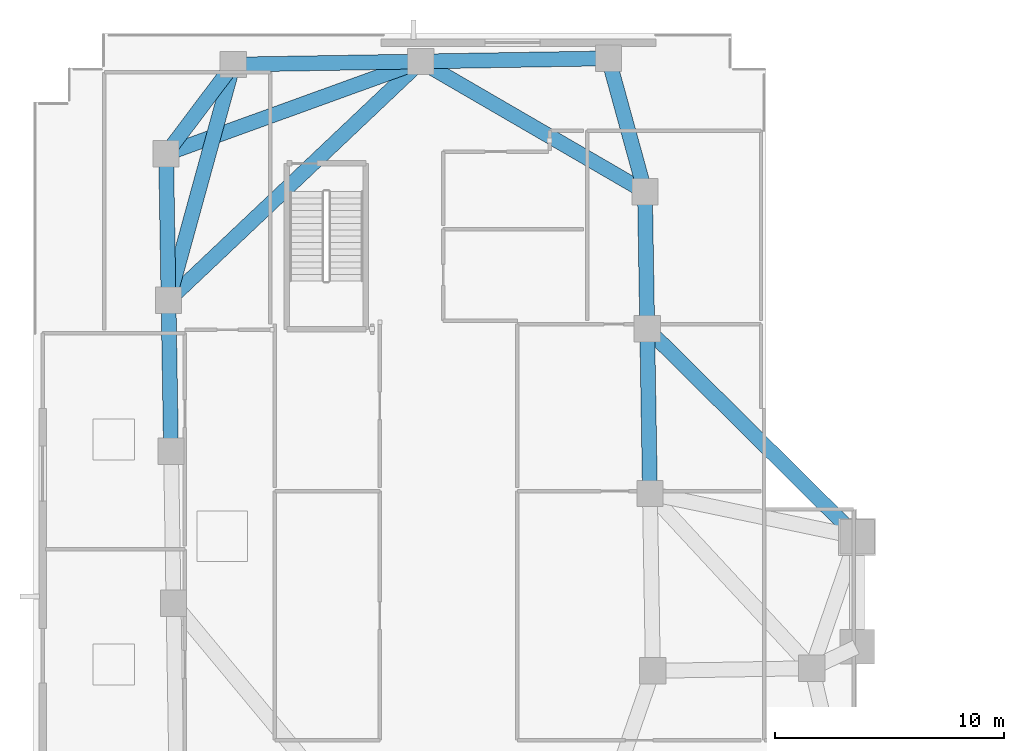
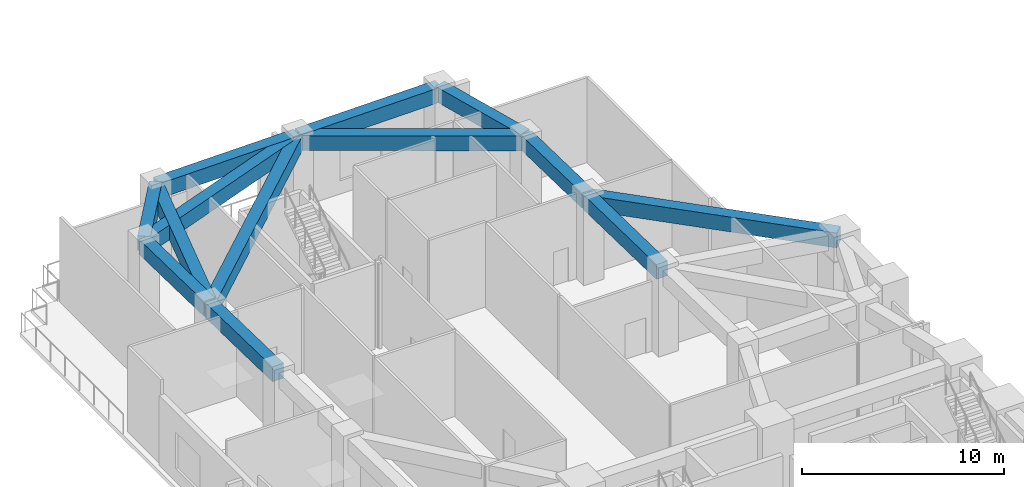
# One storey, part 3 of 18: 13 beams.
"""IFC4 building model written with IfcOpenShell, lengths in metres."""

from ifc_helpers import new_model, si_unit, direction, frame, origin, origin_2d, place, context, subcontext, project, spatial, rectangle, extrude, material, material_profile, profile_set, type_object, element, save


model = new_model("IFC4")

# Units and contexts
model_context = context("Model", 3, precision=1e-05, world=origin(), true_north=direction((0.0, 1.0)))
body_context = subcontext(model_context, "Body", "Model", "MODEL_VIEW")
ifc_project = project(units=[si_unit("LENGTHUNIT", "METRE"), si_unit("AREAUNIT", "SQUARE_METRE"), si_unit("VOLUMEUNIT", "CUBIC_METRE"), si_unit("PLANEANGLEUNIT", "RADIAN"), si_unit("MASSUNIT", "GRAM", prefix="KILO")], contexts=[model_context])

# Site, building, storey
site_placement = place(None, origin())
site = spatial("IfcSite", under=ifc_project, at=site_placement, CompositionType="ELEMENT")
building_placement = place(site_placement, origin())
building = spatial("IfcBuilding", under=site, at=building_placement, Name="Gaonmaruhae Medical Tower", CompositionType="ELEMENT")
storey_placement = place(building_placement, frame((0.0, 0.0, 10.800048828125)))
storey = spatial("IfcBuildingStorey", under=building, at=storey_placement, Name="L02", CompositionType="ELEMENT", Elevation=10.800048828125)

# Beams
ifc_material = material(Name="Concrete C50/60", Category="concrete")
ifc_material_profile = material_profile(ifc_material, rectangle(XDim=0.64990234375, YDim=0.89990234375, at=origin_2d()), Name="RCG-650x900")
ifc_profile_set = profile_set([ifc_material_profile], Name="Concrete C50/60")
beam_type = type_object("IfcBeamType", Name="RG-01 Podium Primary RC Girder (RCG-650x900)", PredefinedType="BEAM", material=ifc_profile_set)
beam_1_placement = place(storey_placement, frame((26.944091796875, 31.140380859375, 4.699951171875), z_axis=(-0.016608204893, 0.999862074253, 0.0), x_axis=(-0.999862074253, -0.016608204893, 0.0)))
element("IfcBeam", 1, at=beam_1_placement, inside=storey, type_object=beam_type, Name="L02 Beam BM-L02-PG035", PredefinedType="BEAM", context=body_context, shape_type="SweptSolid", body=[
    extrude(rectangle(XDim=0.64990234375, YDim=0.89990234375, at=origin_2d()), origin(), (0.0, 0.0, 1.0), 7.10009765625),
])
beam_2_placement = place(storey_placement, frame((26.824462890625, 38.339599609375, 4.699951171875), z_axis=(-0.016551967997, 0.999863006794, 0.0), x_axis=(-0.999863006794, -0.016551967997, 0.0)))
element("IfcBeam", 2, at=beam_2_placement, inside=storey, type_object=beam_type, Name="L02 Beam BM-L02-PG037", PredefinedType="BEAM", context=body_context, shape_type="SweptSolid", body=[
    extrude(rectangle(XDim=0.64990234375, YDim=0.89990234375, at=origin_2d()), origin(), (0.0, 0.0, 1.0), 5.89990234375),
])
beam_3_placement = place(storey_placement, frame((26.86083984375, 38.25439453125, 4.699951171875), z_axis=(0.710394933366, -0.703803267005, 0.0), x_axis=(0.703803267005, 0.710394933366, 0.0)))
element("IfcBeam", 3, at=beam_3_placement, inside=storey, type_object=beam_type, Name="L02 Beam BM-L02-PG038", PredefinedType="BEAM", context=body_context, shape_type="SweptSolid", body=[
    extrude(rectangle(XDim=0.64990234375, YDim=0.89990234375, at=origin_2d()), origin(), (0.0, 0.0, 1.0), 12.815185546875),
])
beam_4_placement = place(storey_placement, frame((26.712646484375, 44.3369140625, 4.699951171875), z_axis=(-0.264400662099, 0.964412924987, 0.0), x_axis=(-0.964412924987, -0.264400662099, 0.0)))
element("IfcBeam", 4, at=beam_4_placement, inside=storey, type_object=beam_type, Name="L02 Beam BM-L02-PG039", PredefinedType="BEAM", context=body_context, shape_type="SweptSolid", body=[
    extrude(rectangle(XDim=0.64990234375, YDim=0.89990234375, at=origin_2d()), origin(), (0.0, 0.0, 1.0), 5.939208984375),
])
beam_5_placement = place(storey_placement, frame((26.6826171875, 44.313720703125, 4.699951171875), z_axis=(-0.864761531189, 0.502182729865, 0.0), x_axis=(-0.502182729865, -0.864761531189, 0.0)))
element("IfcBeam", 5, at=beam_5_placement, inside=storey, type_object=beam_type, Name="L02 Beam BM-L02-PG040", PredefinedType="BEAM", context=body_context, shape_type="SweptSolid", body=[
    extrude(rectangle(XDim=0.64990234375, YDim=0.89990234375, at=origin_2d()), origin(), (0.0, 0.0, 1.0), 11.227294921875),
])
for number, where, z_axis, x_axis, name in (
    (6, (25.0791015625, 50.112060546875, 4.699951171875), (-0.999863083435, -0.016547337678, 0.0), (0.016547337678, -0.999863083435, 0.0), "L02 Beam BM-L02-PG041"),
    (7, (16.88037109375, 49.976318359375, 4.699951171875), (-0.999862584298, -0.016577470273, 0.0), (0.016577470273, -0.999862584298, 0.0), "L02 Beam BM-L02-PG042"),
):
    element("IfcBeam", number, at=place(storey_placement, frame(where, z_axis=z_axis, x_axis=x_axis)), inside=storey, type_object=beam_type, Name=name, PredefinedType="BEAM", context=body_context, shape_type="SweptSolid", body=[
        extrude(rectangle(XDim=0.64990234375, YDim=0.89990234375, at=origin_2d()), origin(), (0.0, 0.0, 1.0), 8.10009765625),
    ])
beam_6_placement = place(storey_placement, frame((16.88330078125, 49.9599609375, 4.699951171875), z_axis=(-0.940171612952, -0.340701244788, 0.0), x_axis=(0.340701244788, -0.940171612952, 0.0)))
element("IfcBeam", 8, at=beam_6_placement, inside=storey, type_object=beam_type, Name="L02 Beam BM-L02-PG043", PredefinedType="BEAM", context=body_context, shape_type="SweptSolid", body=[
    extrude(rectangle(XDim=0.64990234375, YDim=0.89990234375, at=origin_2d()), origin(), (0.0, 0.0, 1.0), 11.743408203125),
])
beam_7_placement = place(storey_placement, frame((8.701416015625, 49.80126953125, 4.699951171875), z_axis=(-0.601502313354, -0.798871057824, 0.0), x_axis=(0.798871057824, -0.601502313354, 0.0)))
element("IfcBeam", 9, at=beam_7_placement, inside=storey, type_object=beam_type, Name="L02 Beam BM-L02-PG044", PredefinedType="BEAM", context=body_context, shape_type="SweptSolid", body=[
    extrude(rectangle(XDim=0.64990234375, YDim=0.89990234375, at=origin_2d()), origin(), (0.0, 0.0, 1.0), 4.781005859375),
])
beam_8_placement = place(storey_placement, frame((8.71826171875, 49.79296875, 4.699951171875), z_axis=(-0.264954280581, -0.964260975671, 0.0), x_axis=(0.964260975671, -0.264954280581, 0.0)))
element("IfcBeam", 10, at=beam_8_placement, inside=storey, type_object=beam_type, Name="L02 Beam BM-L02-PG045", PredefinedType="BEAM", context=body_context, shape_type="SweptSolid", body=[
    extrude(rectangle(XDim=0.64990234375, YDim=0.89990234375, at=origin_2d()), origin(), (0.0, 0.0, 1.0), 10.580078125),
])
beam_9_placement = place(storey_placement, frame((5.79638671875, 45.891845703125, 4.699951171875), z_axis=(0.016586222393, -0.999862439152, 0.0), x_axis=(0.999862439152, 0.016586222393, 0.0)))
element("IfcBeam", 11, at=beam_9_placement, inside=storey, type_object=beam_type, Name="L02 Beam BM-L02-PG046", PredefinedType="BEAM", context=body_context, shape_type="SweptSolid", body=[
    extrude(rectangle(XDim=0.64990234375, YDim=0.89990234375, at=origin_2d()), origin(), (0.0, 0.0, 1.0), 6.300048828125),
])
beam_10_placement = place(storey_placement, frame((5.902587890625, 39.492919921875, 4.699951171875), z_axis=(0.016563596449, -0.999862814226, 0.0), x_axis=(0.999862814226, 0.016563596449, 0.0)))
element("IfcBeam", 12, at=beam_10_placement, inside=storey, type_object=beam_type, Name="L02 Beam BM-L02-PG047", PredefinedType="BEAM", context=body_context, shape_type="SweptSolid", body=[
    extrude(rectangle(XDim=0.64990234375, YDim=0.89990234375, at=origin_2d()), origin(), (0.0, 0.0, 1.0), 6.500244140625),
])
beam_11_placement = place(storey_placement, frame((5.938232421875, 39.5771484375, 4.699951171875), z_axis=(0.726406385449, 0.687265424111, 0.0), x_axis=(-0.687265424111, 0.726406385449, 0.0)))
element("IfcBeam", 13, at=beam_11_placement, inside=storey, type_object=beam_type, Name="L02 Beam BM-L02-PG048", PredefinedType="BEAM", context=body_context, shape_type="SweptSolid", body=[
    extrude(rectangle(XDim=0.64990234375, YDim=0.89990234375, at=origin_2d()), origin(), (0.0, 0.0, 1.0), 15.082275390625),
])

save(model, "model.ifc")
